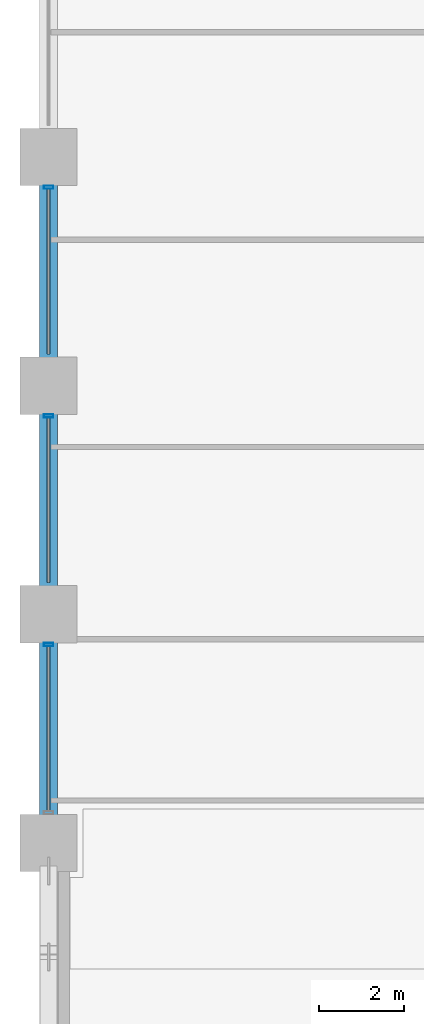
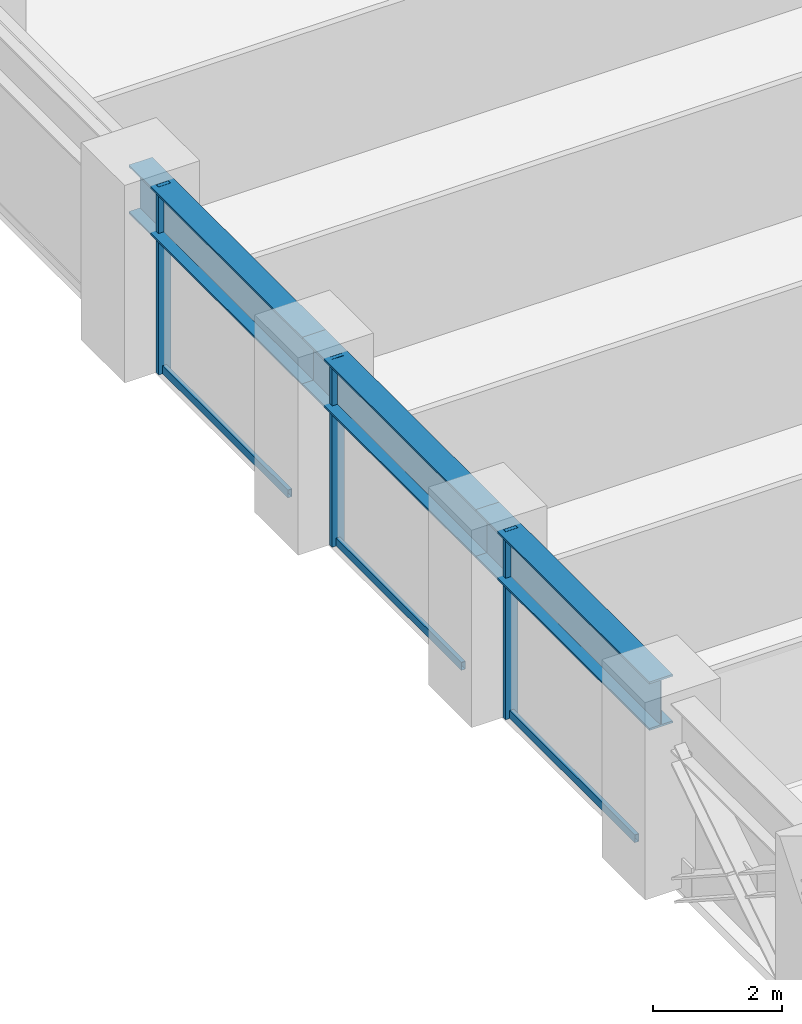
# One storey, part 6 of 25: 6 members, 3 beams, 1 element without a shape of its own.
"""IFC4 building model written with IfcOpenShell, lengths in metres."""

import ifcopenshell
import ifcopenshell.guid

model = None  # the IFC model being written
_history = None  # IfcOwnerHistory: only IFC2X3 demands one
_inside = {}  # id of a spatial element -> (the spatial element, [elements in it])
_under = {}  # id of a project, library or spatial element -> (it, [spatial elements below it])
_declared = {}  # id of a project -> (the project, [libraries it declares])
_typed = {}  # id of a type object -> (the type object, [elements of that type])
_made_of = {}  # id of a material, layer set ... -> (it, [elements and type objects made of it])


def new_model(schema):
    """Start an empty IFC model of exactly this schema.

    Asked for "IFC4X3", IfcOpenShell would pick the latest addendum, in which some entities
    have other attributes; the version numbers below select the first issue.
    IFC2X3 requires an IfcOwnerHistory on every rooted entity: one is made here for all.
    """
    global model, _history
    if schema == "IFC4X3":
        model = ifcopenshell.file(schema_version=(4, 3, 0, 0))
    else:
        model = ifcopenshell.file(schema=schema)
    _inside.clear()
    _under.clear()
    _declared.clear()
    _typed.clear()
    _made_of.clear()
    _history = None
    if model.schema == "IFC2X3":
        org = make("IfcOrganization", Name="unknown")
        user = make(
            "IfcPersonAndOrganization",
            ThePerson=make("IfcPerson", FamilyName="unknown"),
            TheOrganization=org,
        )
        app = make(
            "IfcApplication",
            ApplicationDeveloper=org,
            Version="unknown",
            ApplicationFullName="unknown",
            ApplicationIdentifier="unknown",
        )
        _history = make(
            "IfcOwnerHistory",
            OwningUser=user,
            OwningApplication=app,
            ChangeAction="ADDED",
            CreationDate=0,
        )
    return model


def make(cls, **values):
    """One entity of the class cls with the attributes given. An attribute that is None is left unset."""
    return model.create_entity(
        cls, **{name: value for name, value in values.items() if value is not None}
    )


def rooted(cls, **values):
    """An entity with a GlobalId (a new one), such as an element, a storey or a relation."""
    return make(cls, GlobalId=ifcopenshell.guid.new(), OwnerHistory=_history, **values)


def si_unit(unit_type, name, prefix=None):
    """IfcSIUnit, for example si_unit("LENGTHUNIT", "METRE", prefix="MILLI")."""
    return make("IfcSIUnit", UnitType=unit_type, Prefix=prefix, Name=name)


def assignment(units):
    """IfcUnitAssignment: the units of a project."""
    return None if units is None else make("IfcUnitAssignment", Units=units)


def point(xyz):
    """IfcCartesianPoint."""
    return None if xyz is None else make("IfcCartesianPoint", Coordinates=xyz)


def direction(xyz):
    """IfcDirection."""
    return None if xyz is None else make("IfcDirection", DirectionRatios=xyz)


def frame(location, z_axis=None, x_axis=None):
    """IfcAxis2Placement3D, a coordinate frame: its origin and axes. An axis left out is left unset."""
    return make(
        "IfcAxis2Placement3D",
        Location=point(location),
        Axis=direction(z_axis),
        RefDirection=direction(x_axis),
    )


def frame_2d(location, x_axis=None):
    """IfcAxis2Placement2D, a coordinate frame in the plane: its origin and x axis."""
    return make(
        "IfcAxis2Placement2D", Location=point(location), RefDirection=direction(x_axis)
    )


def origin():
    """The frame at (0, 0, 0) with its axes left unset."""
    return frame((0.0, 0.0, 0.0))


def origin_2d():
    """The frame at (0, 0) in the plane with its x axis left unset."""
    return frame_2d((0.0, 0.0))


def place(relative_to, where):
    """IfcLocalPlacement: puts the frame where relative to a parent placement (None: the world)."""
    return make(
        "IfcLocalPlacement", PlacementRelTo=relative_to, RelativePlacement=where
    )


def context(
    kind, dimensions, precision=None, world=None, true_north=None, identifier=None
):
    """IfcGeometricRepresentationContext, for example the 3D "Model" context."""
    return make(
        "IfcGeometricRepresentationContext",
        ContextIdentifier=identifier,
        ContextType=kind,
        CoordinateSpaceDimension=dimensions,
        Precision=precision,
        WorldCoordinateSystem=world,
        TrueNorth=true_north,
    )


def subcontext(parent, identifier, kind, view, scale=None):
    """IfcGeometricRepresentationSubContext, for example "Body" below "Model"."""
    return make(
        "IfcGeometricRepresentationSubContext",
        ContextIdentifier=identifier,
        ContextType=kind,
        ParentContext=parent,
        TargetScale=scale,
        TargetView=view,
    )


def project(units=None, contexts=None):
    """IfcProject with its units and contexts."""
    return rooted(
        "IfcProject",
        Name="project",
        RepresentationContexts=contexts,
        UnitsInContext=assignment(units),
    )


def spatial(cls, under=None, at=None, **own):
    """A site, building, storey or space (cls), placed at a placement, below another one or the project."""
    s = rooted(cls, ObjectPlacement=at, **own)
    if under is not None:
        _under.setdefault(under.id(), (under, []))[1].append(s)
    return s


def profile(cls, at=None, kind="AREA", **sizes):
    """A parametric profile (cls). Its sizes go by their IFC names, for example OverallWidth=200.0."""
    return make(cls, ProfileType=kind, Position=at, **sizes)


def hollow_rectangle(**sizes):
    """IfcRectangleHollowProfileDef."""
    return profile("IfcRectangleHollowProfileDef", **sizes)


def i_section(**sizes):
    """IfcIShapeProfileDef."""
    return profile("IfcIShapeProfileDef", **sizes)


def extrude(swept, where, along, depth):
    """IfcExtrudedAreaSolid: the profile swept, set in the frame where, extruded along a direction by depth."""
    return make(
        "IfcExtrudedAreaSolid",
        SweptArea=swept,
        Position=where,
        ExtrudedDirection=direction(along),
        Depth=depth,
    )


def shape(context_of_items, identifier, shape_type, items):
    """IfcShapeRepresentation: the items that make up one representation, for example the "Body"."""
    return make(
        "IfcShapeRepresentation",
        ContextOfItems=context_of_items,
        RepresentationIdentifier=identifier,
        RepresentationType=shape_type,
        Items=items,
    )


def material(Name=None, Category=None):
    """IfcMaterial."""
    return make("IfcMaterial", Name=Name, Category=Category)


def layer(
    of_material, thickness, ventilated=None, Name=None, Category=None, Priority=None
):
    """IfcMaterialLayer: one layer of a wall or slab, of a material (None: an air gap)."""
    return make(
        "IfcMaterialLayer",
        Material=of_material,
        LayerThickness=thickness,
        IsVentilated=ventilated,
        Name=Name,
        Category=Category,
        Priority=Priority,
    )


def layer_set(layers, Name=None):
    """IfcMaterialLayerSet."""
    return make("IfcMaterialLayerSet", MaterialLayers=layers, LayerSetName=Name)


def material_profile(
    of_material, cross_section, Name=None, Category=None, Priority=None
):
    """IfcMaterialProfile: a cross section and its material."""
    return make(
        "IfcMaterialProfile",
        Name=Name,
        Material=of_material,
        Profile=cross_section,
        Priority=Priority,
        Category=Category,
    )


def profile_set(profiles, Name=None, composite=None):
    """IfcMaterialProfileSet."""
    return make(
        "IfcMaterialProfileSet",
        Name=Name,
        MaterialProfiles=profiles,
        CompositeProfile=composite,
    )


def made_of(thing, what):
    """Note that an element or type object is made of a material, layer set ...; save() writes the relation."""
    if what is not None:
        _made_of.setdefault(what.id(), (what, []))[1].append(thing)
    return thing


def type_object(cls, material=None, **own):
    """A type object (cls), such as IfcWallType, which elements share."""
    return made_of(rooted(cls, **own), material)


def element(
    cls,
    number,
    at=None,
    inside=None,
    cuts=None,
    type_object=None,
    material=None,
    context=None,
    identifier="Body",
    shape_type=None,
    held_by="IfcProductDefinitionShape",
    body=None,
    shapes=None,
    **own,
):
    """One element of the class cls, such as IfcWall. Its Tag is "e" and its number.

    at: its placement. inside: the storey or other place that contains it. cuts: it is an
    opening in that element (IfcRelVoidsElement). A single representation is given by context,
    identifier, shape_type and body (its items); several are given by shapes. held_by: the class
    of the entity that holds the representations. save() writes the other relations.
    """
    e = rooted(cls, Tag="e%d" % number, ObjectPlacement=at, **own)
    if body is not None:
        shapes = [shape(context, identifier, shape_type, body)]
    if shapes is not None:
        e.Representation = make(held_by, Representations=shapes)
    if inside is not None:
        _inside.setdefault(inside.id(), (inside, []))[1].append(e)
    if cuts is not None:
        rooted(
            "IfcRelVoidsElement", RelatingBuildingElement=cuts, RelatedOpeningElement=e
        )
    if type_object is not None:
        _typed.setdefault(type_object.id(), (type_object, []))[1].append(e)
    return made_of(e, material)


def aggregate(whole, parts):
    """IfcRelAggregates: a whole, such as a stair, and the parts it consists of."""
    return rooted("IfcRelAggregates", RelatingObject=whole, RelatedObjects=parts)


def save(model, path):
    """Write the relations noted so far, then the file.

    IfcRelAggregates (storeys below a building ...), IfcRelContainedInSpatialStructure (elements
    in a storey), IfcRelDefinesByType, IfcRelAssociatesMaterial and IfcRelDeclares: one each for
    every whole, place, type object, material and project.
    """
    for whole, parts in _under.values():
        aggregate(whole, parts)
    for where, things in _inside.values():
        rooted(
            "IfcRelContainedInSpatialStructure",
            RelatedElements=things,
            RelatingStructure=where,
        )
    for kind, things in _typed.values():
        rooted("IfcRelDefinesByType", RelatedObjects=things, RelatingType=kind)
    for what, things in _made_of.values():
        rooted("IfcRelAssociatesMaterial", RelatedObjects=things, RelatingMaterial=what)
    for by, libraries in _declared.values():
        rooted("IfcRelDeclares", RelatingContext=by, RelatedDefinitions=libraries)
    model.write(path)


model = new_model("IFC4")

# Units and contexts
model_context = context("Model", 3, precision=1e-05, world=origin(), true_north=direction((0.0, 1.0)))
body_context = subcontext(model_context, "Body", "Model", "MODEL_VIEW")
ifc_project = project(units=[si_unit("LENGTHUNIT", "METRE"), si_unit("AREAUNIT", "SQUARE_METRE"), si_unit("VOLUMEUNIT", "CUBIC_METRE"), si_unit("PLANEANGLEUNIT", "RADIAN"), si_unit("MASSUNIT", "GRAM", prefix="KILO")], contexts=[model_context])

# Site, building, storey
site_placement = place(None, origin())
site = spatial("IfcSite", under=ifc_project, at=site_placement, CompositionType="ELEMENT")
building_placement = place(site_placement, origin())
building = spatial("IfcBuilding", under=site, at=building_placement, Name="Surkhivell Harbour Commons", CompositionType="ELEMENT")
storey_placement = place(building_placement, frame((0.0, 0.0, 33.75)))
storey = spatial("IfcBuildingStorey", under=building, at=storey_placement, Name="L08", CompositionType="ELEMENT", Elevation=33.75)

# Beams
ifc_material_1 = material(Name="Steel S460", Category="steel")
ifc_material_profile_1 = material_profile(ifc_material_1, i_section(OverallWidth=0.419921875, OverallDepth=0.9208984375, WebThickness=0.021484375, FlangeThickness=0.03662109375, at=origin_2d()), Name="UB914x419x388")
ifc_profile_set_1 = profile_set([ifc_material_profile_1], Name="Steel S460")
beam_type = type_object("IfcBeamType", Name="BM-SPN-914A", PredefinedType="SPANDREL", material=ifc_profile_set_1)
beam_placement = place(storey_placement, frame((-32.39990234375, -10.800048828125, 3.109619140625), z_axis=(0.0, 1.0, 0.0), x_axis=(-1.0, 0.0, 0.0)))
element("IfcBeam", 1, at=beam_placement, inside=storey, type_object=beam_type, Name="L08 Tube Spandrel (-32.4,-10.8)", PredefinedType="SPANDREL", context=body_context, shape_type="SweptSolid", body=[
    extrude(i_section(OverallWidth=0.419921875, OverallDepth=0.9208984375, WebThickness=0.021484375, FlangeThickness=0.03662109375, at=origin_2d()), origin(), (0.0, 0.0, 1.0), 5.400146484375),
])
for number, where, z_axis, x_axis, name in (
    (2, (-32.39990234375, -5.39990234375, 3.109619140625), (0.0, 1.0, 0.0), (-1.0, 0.0, 0.0), "L08 Tube Spandrel (-32.4,-5.4)"),
    (3, (-32.39990234375, 0.0, 3.109619140625), (0.0, 1.0, 0.0), (-1.0, 0.0, 0.0), "L08 Tube Spandrel (-32.4,0.0)"),
):
    element("IfcBeam", number, at=place(storey_placement, frame(where, z_axis=z_axis, x_axis=x_axis)), inside=storey, type_object=beam_type, Name=name, PredefinedType="SPANDREL", context=body_context, shape_type="SweptSolid", body=[
        extrude(i_section(OverallWidth=0.419921875, OverallDepth=0.9208984375, WebThickness=0.021484375, FlangeThickness=0.03662109375, at=origin_2d()), origin(), (0.0, 0.0, 1.0), 5.39990234375),
    ])

# Curtain wall, members
ifc_material_2 = material(Name="Anodised pale-metal aluminium and insulated glazing", Category="aluminium")
ifc_layer = layer(ifc_material_2, 0.219970703125)
ifc_layer_set = layer_set([ifc_layer], Name="Anodised pale-metal aluminium and insulated glazing")
curtain_wall_type = type_object("IfcCurtainWallType", Name="CW-SYS-Z1", PredefinedType="NOTDEFINED", material=ifc_layer_set)
curtain_wall_placement = place(storey_placement, origin())
curtain_wall = element("IfcCurtainWall", 4, at=curtain_wall_placement, inside=storey, type_object=curtain_wall_type, Name="L08 Curtain Wall CW-L08-E12S1", PredefinedType="NOTDEFINED")
ifc_material_3 = material(Name="Anodised pale-metal aluminium alloy 6063-T6", Category="aluminium")
ifc_material_profile_2 = material_profile(ifc_material_3, hollow_rectangle(XDim=0.074951171875, YDim=0.219970703125, WallThickness=0.00390625, at=origin_2d()), Name="ALU-MULL-75x220")
ifc_profile_set_2 = profile_set([ifc_material_profile_2], Name="Anodised pale-metal aluminium alloy 6063-T6")
member_type_1 = type_object("IfcMemberType", Name="CWM-220", PredefinedType="MULLION", material=ifc_profile_set_2)
member_1_placement = place(storey_placement, frame((-32.39990234375, 4.685546875, 0.0), z_axis=(0.0, 0.0, 1.0), x_axis=(0.0, -1.0, 0.0)))
member_1 = element("IfcMember", 5, at=member_1_placement, type_object=member_type_1, Name="CW-Z1 mullion 4", PredefinedType="MULLION", context=body_context, shape_type="SweptSolid", body=[
    extrude(hollow_rectangle(XDim=0.074951171875, YDim=0.219970703125, WallThickness=0.00390625, at=origin_2d()), origin(), (0.0, 0.0, 1.0), 3.570068359375),
])
member_2_placement = place(storey_placement, frame((-32.39990234375, -0.714599609375, 0.0), z_axis=(0.0, 0.0, 1.0), x_axis=(0.0, -1.0, 0.0)))
member_2 = element("IfcMember", 6, at=member_2_placement, type_object=member_type_1, Name="CW-Z1 mullion 5", PredefinedType="MULLION", context=body_context, shape_type="SweptSolid", body=[
    extrude(hollow_rectangle(XDim=0.074951171875, YDim=0.219970703125, WallThickness=0.00390625, at=origin_2d()), origin(), (0.0, 0.0, 1.0), 3.570068359375),
])
member_3_placement = place(storey_placement, frame((-32.39990234375, -6.114501953125, 0.0), z_axis=(0.0, 0.0, 1.0), x_axis=(0.0, -1.0, 0.0)))
member_3 = element("IfcMember", 7, at=member_3_placement, type_object=member_type_1, Name="CW-Z1 mullion 6", PredefinedType="MULLION", context=body_context, shape_type="SweptSolid", body=[
    extrude(hollow_rectangle(XDim=0.074951171875, YDim=0.219970703125, WallThickness=0.00390625, at=origin_2d()), origin(), (0.0, 0.0, 1.0), 3.570068359375),
])
ifc_material_profile_3 = material_profile(ifc_material_3, hollow_rectangle(XDim=0.074951171875, YDim=0.14990234375, WallThickness=0.00341796875, at=origin_2d()), Name="ALU-TRAN-75x150")
ifc_profile_set_3 = profile_set([ifc_material_profile_3], Name="Anodised pale-metal aluminium alloy 6063-T6")
member_type_2 = type_object("IfcMemberType", Name="CWT-150", PredefinedType="USERDEFINED", material=ifc_profile_set_3)
member_4_placement = place(storey_placement, frame((-32.39990234375, 4.64794921875, 0.074951171875), z_axis=(0.0, -1.0, 0.0), x_axis=(1.0, 0.0, 0.0)))
member_4 = element("IfcMember", 8, at=member_4_placement, type_object=member_type_2, Name="CW-Z1 transom 4.1", ObjectType="TRANSOM", PredefinedType="USERDEFINED", context=body_context, shape_type="SweptSolid", body=[
    extrude(hollow_rectangle(XDim=0.074951171875, YDim=0.14990234375, WallThickness=0.00341796875, at=origin_2d()), origin(), (0.0, 0.0, 1.0), 3.89599609375),
])
member_5_placement = place(storey_placement, frame((-32.39990234375, -0.751953125, 0.074951171875), z_axis=(0.0, -1.0, 0.0), x_axis=(1.0, 0.0, 0.0)))
member_5 = element("IfcMember", 9, at=member_5_placement, type_object=member_type_2, Name="CW-Z1 transom 5.1", ObjectType="TRANSOM", PredefinedType="USERDEFINED", context=body_context, shape_type="SweptSolid", body=[
    extrude(hollow_rectangle(XDim=0.074951171875, YDim=0.14990234375, WallThickness=0.00341796875, at=origin_2d()), origin(), (0.0, 0.0, 1.0), 3.89599609375),
])
member_6_placement = place(storey_placement, frame((-32.39990234375, -6.152099609375, 0.074951171875), z_axis=(0.0, -1.0, 0.0), x_axis=(1.0, 0.0, 0.0)))
member_6 = element("IfcMember", 10, at=member_6_placement, type_object=member_type_2, Name="CW-Z1 transom 6.1", ObjectType="TRANSOM", PredefinedType="USERDEFINED", context=body_context, shape_type="SweptSolid", body=[
    extrude(hollow_rectangle(XDim=0.074951171875, YDim=0.14990234375, WallThickness=0.00341796875, at=origin_2d()), origin(), (0.0, 0.0, 1.0), 3.89599609375),
])
aggregate(curtain_wall, [member_1, member_4, member_2, member_5, member_3, member_6])

save(model, "model.ifc")
